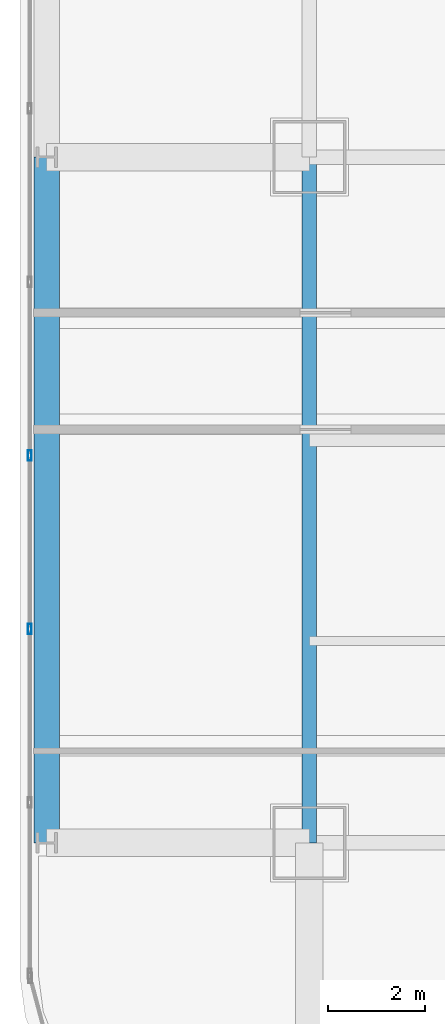
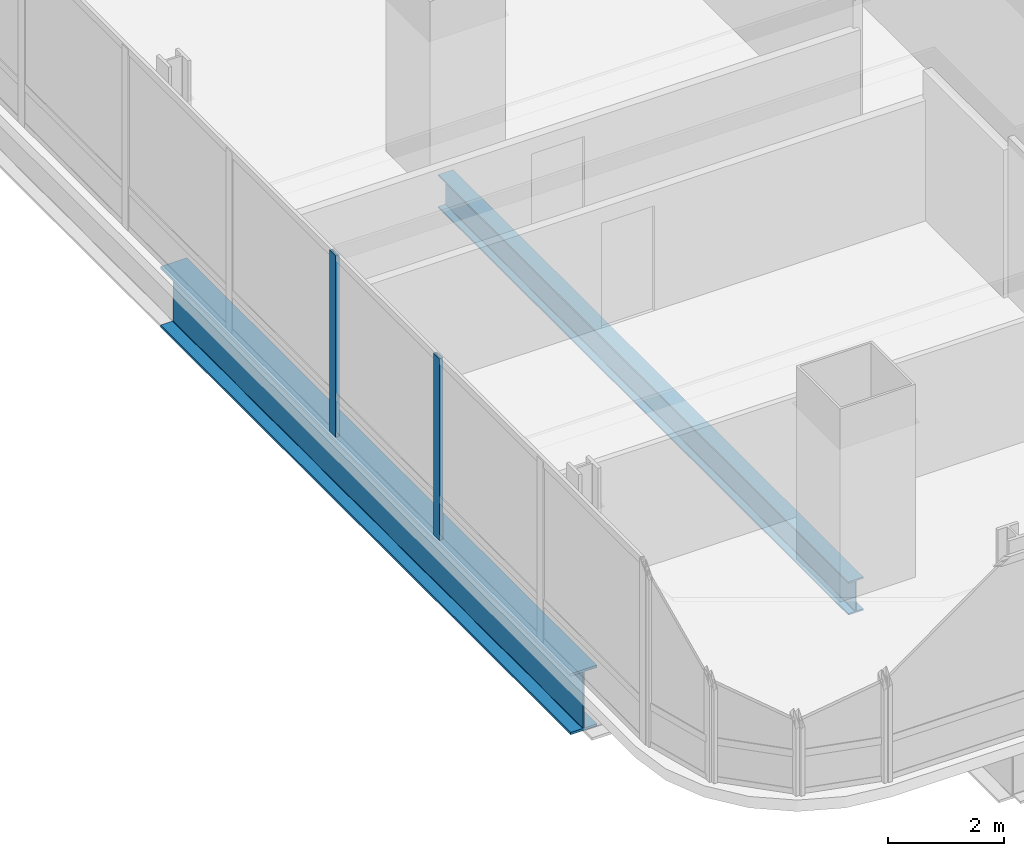
# One storey, part 4 of 35: 2 beams, 2 members, 1 element without a shape of its own.
"""IFC4 building model written with IfcOpenShell, lengths in metres."""

from ifc_helpers import new_model, si_unit, direction, frame, origin, origin_2d, place, context, subcontext, project, spatial, hollow_rectangle, i_section, extrude, material, material_profile, profile_set, type_object, element, aggregate, save


model = new_model("IFC4")

# Units and contexts
model_context = context("Model", 3, precision=1e-05, world=origin(), true_north=direction((0.0, 1.0)))
body_context = subcontext(model_context, "Body", "Model", "MODEL_VIEW")
ifc_project = project(units=[si_unit("LENGTHUNIT", "METRE"), si_unit("AREAUNIT", "SQUARE_METRE"), si_unit("VOLUMEUNIT", "CUBIC_METRE"), si_unit("PLANEANGLEUNIT", "RADIAN"), si_unit("MASSUNIT", "GRAM", prefix="KILO")], contexts=[model_context])

# Site, building, storey
site_placement = place(None, origin())
site = spatial("IfcSite", under=ifc_project, at=site_placement, CompositionType="ELEMENT")
building_placement = place(site_placement, origin())
building = spatial("IfcBuilding", under=site, at=building_placement, Name="Punatoya Terracotta Tower", CompositionType="ELEMENT")
storey_placement = place(building_placement, frame((0.0, 0.0, 52.5)))
storey = spatial("IfcBuildingStorey", under=building, at=storey_placement, Name="L11", CompositionType="ELEMENT", Elevation=52.5)

# Beams
ifc_material_1 = material(Name="Steel S355", Category="steel")
ifc_material_profile_1 = material_profile(ifc_material_1, i_section(OverallWidth=0.300048828125, OverallDepth=0.699951171875, WebThickness=0.01708984375, FlangeThickness=0.031982421875, FilletRadius=0.01806640625, at=origin_2d()))
ifc_profile_set_1 = profile_set([ifc_material_profile_1], Name="Steel S355")
beam_type_1 = type_object("IfcBeamType", Name="BM-PRI-700", PredefinedType="BEAM", material=ifc_profile_set_1)
beam_1_placement = place(storey_placement, frame((-19.10009765625, -17.5, -0.590087890625), z_axis=(0.0, 1.0, 0.0), x_axis=(-1.0, 0.0, 0.0)))
element("IfcBeam", 1, at=beam_1_placement, inside=storey, type_object=beam_type_1, Name="BM-L11-RG-W1", PredefinedType="BEAM", context=body_context, shape_type="SweptSolid", body=[
    extrude(i_section(OverallWidth=0.300048828125, OverallDepth=0.699951171875, WebThickness=0.01708984375, FlangeThickness=0.031982421875, FilletRadius=0.01806640625, at=origin_2d()), origin(), (0.0, 0.0, 1.0), 14.10009765625),
])
ifc_material_2 = material(Name="Steel S460", Category="steel")
ifc_material_profile_2 = material_profile(ifc_material_2, i_section(OverallWidth=0.52001953125, OverallDepth=1.280029296875, WebThickness=0.031982421875, FlangeThickness=0.050048828125, FilletRadius=0.01806640625, at=origin_2d()))
ifc_profile_set_2 = profile_set([ifc_material_profile_2], Name="Steel S460")
beam_type_2 = type_object("IfcBeamType", Name="BM-TG-NCK", PredefinedType="BEAM", material=ifc_profile_set_2)
beam_2_placement = place(storey_placement, frame((-24.5, -17.5, -0.8798828125), z_axis=(0.0, 1.0, 0.0), x_axis=(-1.0, 0.0, 0.0)))
element("IfcBeam", 2, at=beam_2_placement, inside=storey, type_object=beam_type_2, Name="BM-L11-PER-W1", PredefinedType="BEAM", context=body_context, shape_type="SweptSolid", body=[
    extrude(i_section(OverallWidth=0.52001953125, OverallDepth=1.280029296875, WebThickness=0.031982421875, FlangeThickness=0.050048828125, FilletRadius=0.01806640625, at=origin_2d()), origin(), (0.0, 0.0, 1.0), 14.10009765625),
])

# Curtain wall, members
ifc_material_3 = material(Name="Aluminium 6063-T6 + Double Low-E Glass", Category="aluminium")
curtain_wall_type = type_object("IfcCurtainWallType", Name="CW-M1", PredefinedType="NOTDEFINED", material=ifc_material_3)
curtain_wall_placement = place(storey_placement, origin())
curtain_wall = element("IfcCurtainWall", 3, at=curtain_wall_placement, inside=storey, type_object=curtain_wall_type, Name="L11 Curtain Wall CW-L11-W13-1", PredefinedType="NOTDEFINED")
ifc_material_4 = material(Name="Aluminium 6063-T6", Category="aluminium")
ifc_material_profile_3 = material_profile(ifc_material_4, hollow_rectangle(XDim=0.074951171875, YDim=0.2099609375, WallThickness=0.00439453125, at=origin_2d()))
ifc_profile_set_3 = profile_set([ifc_material_profile_3], Name="Aluminium 6063-T6")
member_type = type_object("IfcMemberType", Name="CW-MUL-M1", PredefinedType="MULLION", material=ifc_profile_set_3)
member_1_placement = place(storey_placement, frame((-24.85009765625, -9.534912109375, 0.0), z_axis=(0.0, 0.0, 1.0), x_axis=(1.0, 0.0, 0.0)))
member_1 = element("IfcMember", 4, at=member_1_placement, type_object=member_type, Name="CW-L11-W13-1 Mullion 07", PredefinedType="MULLION", context=body_context, shape_type="SweptSolid", body=[
    extrude(hollow_rectangle(XDim=0.074951171875, YDim=0.2099609375, WallThickness=0.00439453125, at=origin_2d()), origin(), (0.0, 0.0, 1.0), 3.81005859375),
])
member_2_placement = place(storey_placement, frame((-24.85009765625, -13.10205078125, 0.0), z_axis=(0.0, 0.0, 1.0), x_axis=(1.0, 0.0, 0.0)))
member_2 = element("IfcMember", 5, at=member_2_placement, type_object=member_type, Name="CW-L11-W13-1 Mullion 08", PredefinedType="MULLION", context=body_context, shape_type="SweptSolid", body=[
    extrude(hollow_rectangle(XDim=0.074951171875, YDim=0.2099609375, WallThickness=0.00439453125, at=origin_2d()), origin(), (0.0, 0.0, 1.0), 3.81005859375),
])
aggregate(curtain_wall, [member_1, member_2])

save(model, "model.ifc")
